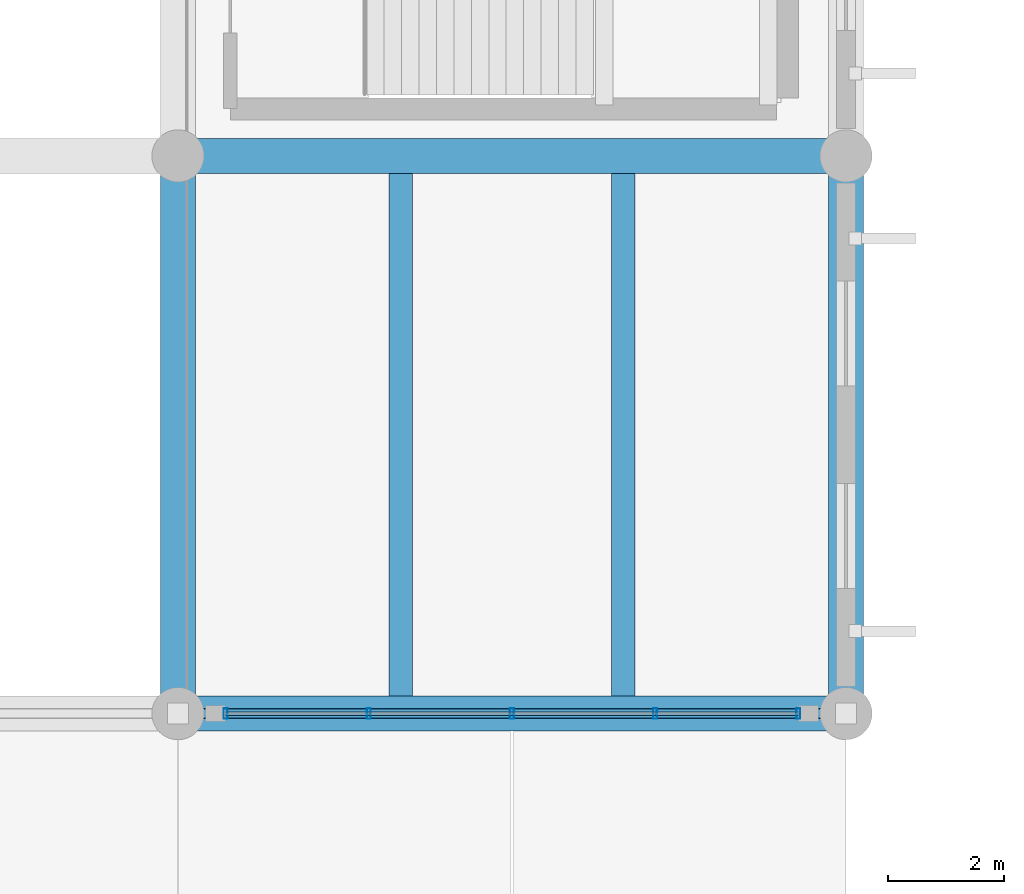
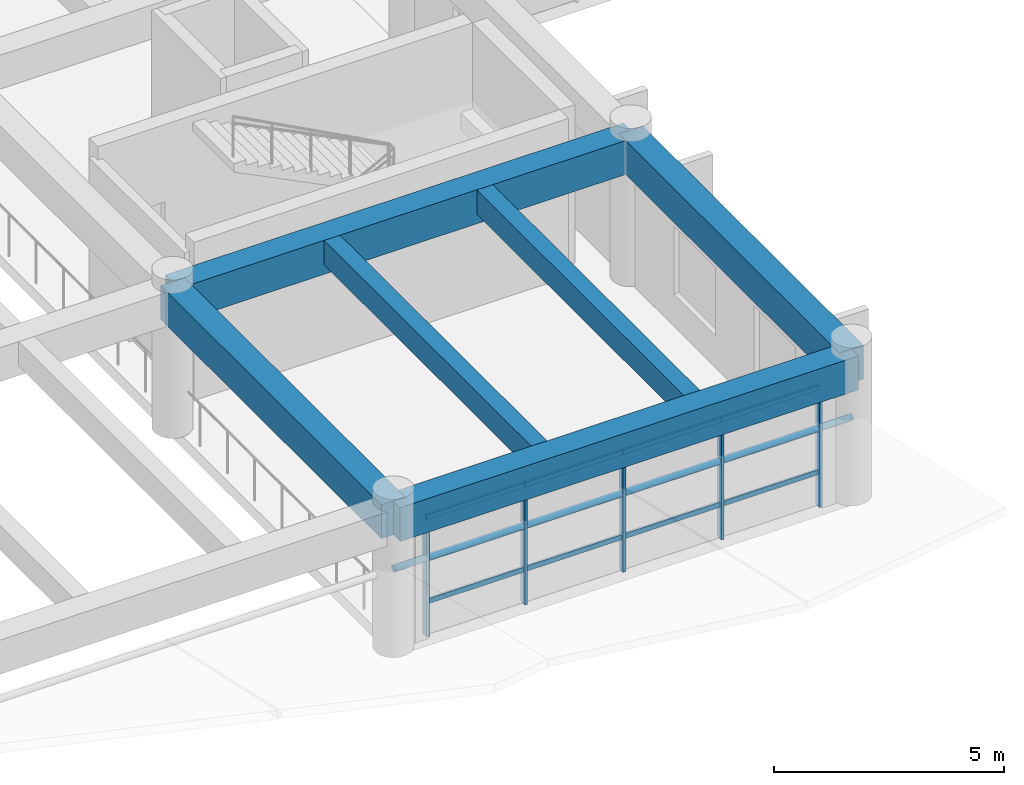
# One storey, part 18 of 98: 14 members, 6 beams, 1 element without a shape of its own.
"""IFC4 building model written with IfcOpenShell, lengths in metres."""

from ifc_helpers import new_model, si_unit, direction, frame, origin, origin_2d, place, context, subcontext, project, spatial, rectangle, hollow_rectangle, hollow_circle, extrude, material, material_profile, profile_set, type_object, element, aggregate, save


model = new_model("IFC4")

# Units and contexts
model_context = context("Model", 3, precision=1e-05, world=origin(), true_north=direction((0.0, 1.0)))
body_context = subcontext(model_context, "Body", "Model", "MODEL_VIEW")
ifc_project = project(units=[si_unit("LENGTHUNIT", "METRE"), si_unit("AREAUNIT", "SQUARE_METRE"), si_unit("VOLUMEUNIT", "CUBIC_METRE"), si_unit("PLANEANGLEUNIT", "RADIAN"), si_unit("MASSUNIT", "GRAM", prefix="KILO")], contexts=[model_context])

# Site, building, storey
site_placement = place(None, origin())
site = spatial("IfcSite", under=ifc_project, at=site_placement, CompositionType="ELEMENT")
building_placement = place(site_placement, origin())
building = spatial("IfcBuilding", under=site, at=building_placement, Name="Ologun Quay Terminus", CompositionType="ELEMENT")
storey_placement = place(building_placement, frame((0.0, 0.0, 4.199951171875)))
storey = spatial("IfcBuildingStorey", under=building, at=storey_placement, Name="L01", CompositionType="ELEMENT", Elevation=4.199951171875)

# Member
ifc_material_1 = material(Name="Steel S355", Category="steel")
ifc_material_profile_1 = material_profile(ifc_material_1, hollow_circle(Radius=0.084228515625, WallThickness=0.00634765625, at=origin_2d()), Name="CHS 168.3x6.3")
ifc_profile_set_1 = profile_set([ifc_material_profile_1], Name="Steel S355")
member_type_1 = type_object("IfcMemberType", Name="Canopy Tie Strut CHS168", PredefinedType="STRUT", material=ifc_profile_set_1)
member_1_placement = place(storey_placement, frame((115.0, 8.0, 2.050048828125), z_axis=(1.0, 0.0, 0.0), x_axis=(0.0, 1.0, 0.0)))
element("IfcMember", 1, at=member_1_placement, inside=storey, type_object=member_type_1, Name="WB4 Canopy Tie S-11", PredefinedType="STRUT", context=body_context, shape_type="SweptSolid", body=[
    extrude(hollow_circle(Radius=0.084228515625, WallThickness=0.00634765625, at=origin_2d()), origin(), (0.0, 0.0, 1.0), 11.5),
])

# Curtain wall, members
ifc_material_2 = material(Name="Aluminium 6063-T6", Category="aluminium")
curtain_wall_type = type_object("IfcCurtainWallType", Name="Ticket Hall Upper Portal Curtain Wall 10700x3800", PredefinedType="USERDEFINED", material=ifc_material_2)
curtain_wall_placement = place(storey_placement, origin())
curtain_wall = element("IfcCurtainWall", 2, at=curtain_wall_placement, inside=storey, type_object=curtain_wall_type, Name="CW-02 Curtain Wall CW-L01-015", ObjectType="UNITISED CURTAIN WALL", PredefinedType="USERDEFINED")
ifc_material_3 = material(Name="Aluminium 6063-T6", Category="aluminium")
ifc_material_profile_2 = material_profile(ifc_material_3, hollow_rectangle(XDim=0.070068359375, YDim=0.179931640625, WallThickness=0.0048828125, at=origin_2d()), Name="ALU 180x70x5")
ifc_profile_set_2 = profile_set([ifc_material_profile_2], Name="Aluminium 6063-T6")
member_type_2 = type_object("IfcMemberType", Name="Curtain Wall Heavy Mullion 180x70", PredefinedType="MULLION", material=ifc_profile_set_2)
member_2_placement = place(storey_placement, frame((115.820068359375, 8.0, 0.0), z_axis=(0.0, 0.0, 1.0), x_axis=(1.0, 0.0, 0.0)))
member_2 = element("IfcMember", 3, at=member_2_placement, type_object=member_type_2, Name="CW-L01-015 Mullion 1", PredefinedType="MULLION", context=body_context, shape_type="SweptSolid", body=[
    extrude(hollow_rectangle(XDim=0.070068359375, YDim=0.179931640625, WallThickness=0.0048828125, at=origin_2d()), origin(), (0.0, 0.0, 1.0), 3.840087890625),
])
member_3_placement = place(storey_placement, frame((118.284912109375, 8.0, 0.0), z_axis=(0.0, 0.0, 1.0), x_axis=(1.0, 0.0, 0.0)))
member_3 = element("IfcMember", 4, at=member_3_placement, type_object=member_type_2, Name="CW-L01-015 Mullion 2", PredefinedType="MULLION", context=body_context, shape_type="SweptSolid", body=[
    extrude(hollow_rectangle(XDim=0.070068359375, YDim=0.179931640625, WallThickness=0.0048828125, at=origin_2d()), origin(), (0.0, 0.0, 1.0), 3.840087890625),
])
member_4_placement = place(storey_placement, frame((120.75, 8.0, 0.0), z_axis=(0.0, 0.0, 1.0), x_axis=(1.0, 0.0, 0.0)))
member_4 = element("IfcMember", 5, at=member_4_placement, type_object=member_type_2, Name="CW-L01-015 Mullion 3", PredefinedType="MULLION", context=body_context, shape_type="SweptSolid", body=[
    extrude(hollow_rectangle(XDim=0.070068359375, YDim=0.179931640625, WallThickness=0.0048828125, at=origin_2d()), origin(), (0.0, 0.0, 1.0), 3.840087890625),
])
member_5_placement = place(storey_placement, frame((123.215087890625, 8.0, 0.0), z_axis=(0.0, 0.0, 1.0), x_axis=(1.0, 0.0, 0.0)))
member_5 = element("IfcMember", 6, at=member_5_placement, type_object=member_type_2, Name="CW-L01-015 Mullion 4", PredefinedType="MULLION", context=body_context, shape_type="SweptSolid", body=[
    extrude(hollow_rectangle(XDim=0.070068359375, YDim=0.179931640625, WallThickness=0.0048828125, at=origin_2d()), origin(), (0.0, 0.0, 1.0), 3.840087890625),
])
member_6_placement = place(storey_placement, frame((125.679931640625, 8.0, 0.0), z_axis=(0.0, 0.0, 1.0), x_axis=(1.0, 0.0, 0.0)))
member_6 = element("IfcMember", 7, at=member_6_placement, type_object=member_type_2, Name="CW-L01-015 Mullion 5", PredefinedType="MULLION", context=body_context, shape_type="SweptSolid", body=[
    extrude(hollow_rectangle(XDim=0.070068359375, YDim=0.179931640625, WallThickness=0.0048828125, at=origin_2d()), origin(), (0.0, 0.0, 1.0), 3.840087890625),
])
ifc_material_4 = material(Name="Aluminium 6063-T6", Category="aluminium")
ifc_material_profile_3 = material_profile(ifc_material_4, hollow_rectangle(XDim=0.06005859375, YDim=0.1298828125, WallThickness=0.00390625, at=origin_2d()), Name="ALU 130x60x4")
ifc_profile_set_3 = profile_set([ifc_material_profile_3], Name="Aluminium 6063-T6")
member_type_3 = type_object("IfcMemberType", Name="Curtain Wall Heavy Transom 130x60", PredefinedType="USERDEFINED", material=ifc_profile_set_3)
member_7_placement = place(storey_placement, frame((115.820068359375, 8.0, 0.900146484375), z_axis=(1.0, 0.0, 0.0), x_axis=(0.0, 1.0, 0.0)))
member_7 = element("IfcMember", 8, at=member_7_placement, type_object=member_type_3, Name="CW-L01-015 Transom B1-1", ObjectType="TRANSOM", PredefinedType="USERDEFINED", context=body_context, shape_type="SweptSolid", body=[
    extrude(hollow_rectangle(XDim=0.06005859375, YDim=0.1298828125, WallThickness=0.00390625, at=origin_2d()), origin(), (0.0, 0.0, 1.0), 2.46484375),
])
member_8_placement = place(storey_placement, frame((115.820068359375, 8.0, 3.14013671875), z_axis=(1.0, 0.0, 0.0), x_axis=(0.0, 1.0, 0.0)))
member_8 = element("IfcMember", 9, at=member_8_placement, type_object=member_type_3, Name="CW-L01-015 Transom B1-2", ObjectType="TRANSOM", PredefinedType="USERDEFINED", context=body_context, shape_type="SweptSolid", body=[
    extrude(hollow_rectangle(XDim=0.06005859375, YDim=0.1298828125, WallThickness=0.00390625, at=origin_2d()), origin(), (0.0, 0.0, 1.0), 2.46484375),
])
member_9_placement = place(storey_placement, frame((118.284912109375, 8.0, 0.900146484375), z_axis=(1.0, 0.0, 0.0), x_axis=(0.0, 1.0, 0.0)))
member_9 = element("IfcMember", 10, at=member_9_placement, type_object=member_type_3, Name="CW-L01-015 Transom B2-1", ObjectType="TRANSOM", PredefinedType="USERDEFINED", context=body_context, shape_type="SweptSolid", body=[
    extrude(hollow_rectangle(XDim=0.06005859375, YDim=0.1298828125, WallThickness=0.00390625, at=origin_2d()), origin(), (0.0, 0.0, 1.0), 2.465087890625),
])
member_10_placement = place(storey_placement, frame((118.284912109375, 8.0, 3.14013671875), z_axis=(1.0, 0.0, 0.0), x_axis=(0.0, 1.0, 0.0)))
member_10 = element("IfcMember", 11, at=member_10_placement, type_object=member_type_3, Name="CW-L01-015 Transom B2-2", ObjectType="TRANSOM", PredefinedType="USERDEFINED", context=body_context, shape_type="SweptSolid", body=[
    extrude(hollow_rectangle(XDim=0.06005859375, YDim=0.1298828125, WallThickness=0.00390625, at=origin_2d()), origin(), (0.0, 0.0, 1.0), 2.465087890625),
])
member_11_placement = place(storey_placement, frame((120.75, 8.0, 0.900146484375), z_axis=(1.0, 0.0, 0.0), x_axis=(0.0, 1.0, 0.0)))
member_11 = element("IfcMember", 12, at=member_11_placement, type_object=member_type_3, Name="CW-L01-015 Transom B3-1", ObjectType="TRANSOM", PredefinedType="USERDEFINED", context=body_context, shape_type="SweptSolid", body=[
    extrude(hollow_rectangle(XDim=0.06005859375, YDim=0.1298828125, WallThickness=0.00390625, at=origin_2d()), origin(), (0.0, 0.0, 1.0), 2.465087890625),
])
member_12_placement = place(storey_placement, frame((120.75, 8.0, 3.14013671875), z_axis=(1.0, 0.0, 0.0), x_axis=(0.0, 1.0, 0.0)))
member_12 = element("IfcMember", 13, at=member_12_placement, type_object=member_type_3, Name="CW-L01-015 Transom B3-2", ObjectType="TRANSOM", PredefinedType="USERDEFINED", context=body_context, shape_type="SweptSolid", body=[
    extrude(hollow_rectangle(XDim=0.06005859375, YDim=0.1298828125, WallThickness=0.00390625, at=origin_2d()), origin(), (0.0, 0.0, 1.0), 2.465087890625),
])
member_13_placement = place(storey_placement, frame((123.215087890625, 8.0, 0.900146484375), z_axis=(1.0, 0.0, 0.0), x_axis=(0.0, 1.0, 0.0)))
member_13 = element("IfcMember", 14, at=member_13_placement, type_object=member_type_3, Name="CW-L01-015 Transom B4-1", ObjectType="TRANSOM", PredefinedType="USERDEFINED", context=body_context, shape_type="SweptSolid", body=[
    extrude(hollow_rectangle(XDim=0.06005859375, YDim=0.1298828125, WallThickness=0.00390625, at=origin_2d()), origin(), (0.0, 0.0, 1.0), 2.46484375),
])
member_14_placement = place(storey_placement, frame((123.215087890625, 8.0, 3.14013671875), z_axis=(1.0, 0.0, 0.0), x_axis=(0.0, 1.0, 0.0)))
member_14 = element("IfcMember", 15, at=member_14_placement, type_object=member_type_3, Name="CW-L01-015 Transom B4-2", ObjectType="TRANSOM", PredefinedType="USERDEFINED", context=body_context, shape_type="SweptSolid", body=[
    extrude(hollow_rectangle(XDim=0.06005859375, YDim=0.1298828125, WallThickness=0.00390625, at=origin_2d()), origin(), (0.0, 0.0, 1.0), 2.46484375),
])
aggregate(curtain_wall, [member_2, member_3, member_4, member_5, member_6, member_7, member_8, member_9, member_10, member_11, member_12, member_13, member_14])

# Beams
ifc_material_5 = material(Name="Concrete C40/50", Category="concrete")
ifc_material_profile_4 = material_profile(ifc_material_5, rectangle(XDim=0.60009765625, YDim=0.89990234375, at=origin_2d()), Name="RC 600x900")
ifc_profile_set_4 = profile_set([ifc_material_profile_4], Name="Concrete C40/50")
beam_type_1 = type_object("IfcBeamType", Name="Station Frame Girder 600x900", PredefinedType="BEAM", material=ifc_profile_set_4)
for number, where, z_axis, x_axis, name in (
    (16, (115.0, 8.0, 3.400146484375), (1.0, 0.0, 0.0), (0.0, 1.0, 0.0), "B3 Beam 11/B L01"),
    (17, (115.0, 17.60009765625, 3.400146484375), (1.0, 0.0, 0.0), (0.0, 1.0, 0.0), "B3 Beam 11/C L01"),
):
    element("IfcBeam", number, at=place(storey_placement, frame(where, z_axis=z_axis, x_axis=x_axis)), inside=storey, type_object=beam_type_1, Name=name, PredefinedType="BEAM", context=body_context, shape_type="SweptSolid", body=[
        extrude(rectangle(XDim=0.60009765625, YDim=0.89990234375, at=origin_2d()), origin(), (0.0, 0.0, 1.0), 11.5),
    ])
for number, where, z_axis, x_axis, name in (
    (18, (115.0, 8.0, 3.400146484375), (0.0, 1.0, 0.0), (-1.0, 0.0, 0.0), "B3 Beam 11/B L01"),
    (19, (126.5, 8.0, 3.400146484375), (0.0, 1.0, 0.0), (-1.0, 0.0, 0.0), "B3 Beam 12/B L01"),
):
    element("IfcBeam", number, at=place(storey_placement, frame(where, z_axis=z_axis, x_axis=x_axis)), inside=storey, type_object=beam_type_1, Name=name, PredefinedType="BEAM", context=body_context, shape_type="SweptSolid", body=[
        extrude(rectangle(XDim=0.60009765625, YDim=0.89990234375, at=origin_2d()), origin(), (0.0, 0.0, 1.0), 9.60009765625),
    ])
ifc_material_6 = material(Name="Concrete C40/50", Category="concrete")
ifc_material_profile_5 = material_profile(ifc_material_6, rectangle(XDim=0.39990234375, YDim=0.64990234375, at=origin_2d()), Name="RC 400x650")
ifc_profile_set_5 = profile_set([ifc_material_profile_5], Name="Concrete C40/50")
beam_type_2 = type_object("IfcBeamType", Name="Station Secondary Joist 400x650", PredefinedType="JOIST", material=ifc_profile_set_5)
for number, where, z_axis, x_axis, name in (
    (20, (118.833251953125, 8.300048828125, 3.525146484375), (0.0, 1.0, 0.0), (-1.0, 0.0, 0.0), "J1 Beam 11/B L01"),
    (21, (122.666748046875, 8.300048828125, 3.525146484375), (0.0, 1.0, 0.0), (-1.0, 0.0, 0.0), "J1 Beam 11/B L01"),
):
    element("IfcBeam", number, at=place(storey_placement, frame(where, z_axis=z_axis, x_axis=x_axis)), inside=storey, type_object=beam_type_2, Name=name, PredefinedType="JOIST", context=body_context, shape_type="SweptSolid", body=[
        extrude(rectangle(XDim=0.39990234375, YDim=0.64990234375, at=origin_2d()), origin(), (0.0, 0.0, 1.0), 9.0),
    ])

save(model, "model.ifc")
